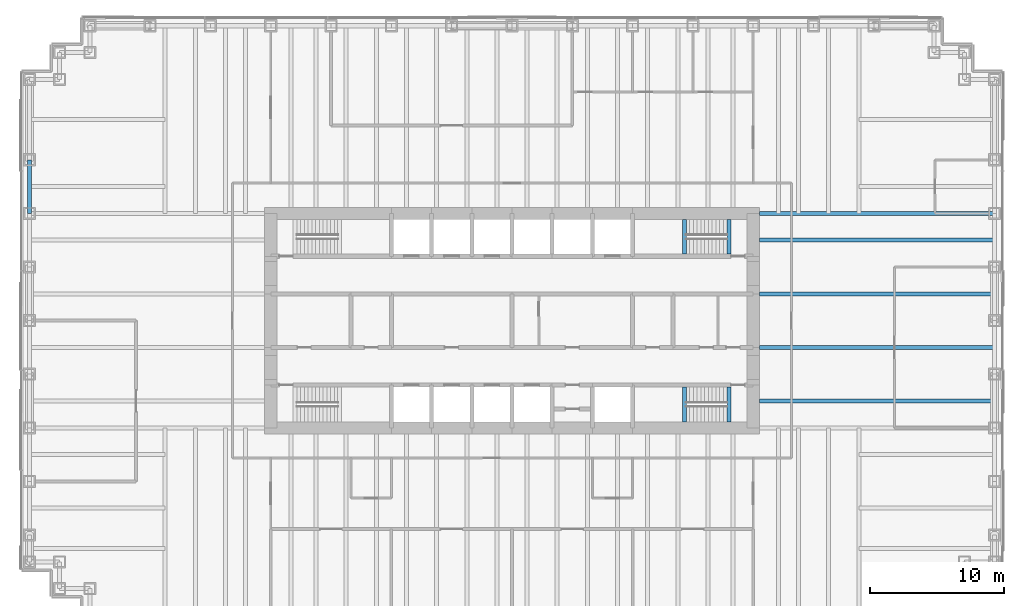
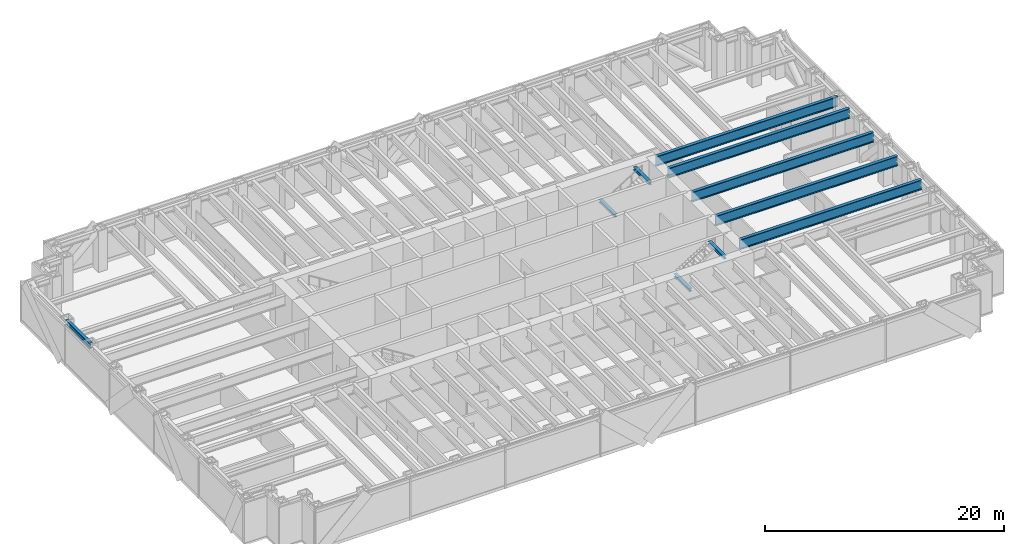
# One storey, part 5 of 15: 10 beams.
"""IFC4 building model written with IfcOpenShell, lengths in metres."""

from ifc_helpers import new_model, si_unit, direction, frame, origin, origin_2d, place, context, subcontext, project, spatial, i_section, extrude, material, material_profile, profile_set, type_object, element, save


model = new_model("IFC4")

# Units and contexts
model_context = context("Model", 3, precision=1e-05, world=origin(), true_north=direction((0.0, 1.0)))
body_context = subcontext(model_context, "Body", "Model", "MODEL_VIEW")
ifc_project = project(units=[si_unit("LENGTHUNIT", "METRE"), si_unit("AREAUNIT", "SQUARE_METRE"), si_unit("VOLUMEUNIT", "CUBIC_METRE"), si_unit("PLANEANGLEUNIT", "RADIAN"), si_unit("MASSUNIT", "GRAM", prefix="KILO")], contexts=[model_context])

# Site, building, storey
site_placement = place(None, origin())
site = spatial("IfcSite", under=ifc_project, at=site_placement, CompositionType="ELEMENT")
building_placement = place(site_placement, origin())
building = spatial("IfcBuilding", under=site, at=building_placement, Name="Rheinbord Bourse Tower", CompositionType="ELEMENT")
storey_placement = place(building_placement, frame((0.0, 0.0, 155.10009765625)))
storey = spatial("IfcBuildingStorey", under=building, at=storey_placement, Name="L34", CompositionType="ELEMENT", Elevation=155.10009765625)

# Beams
ifc_material_1 = material(Name="Steel S460", Category="steel")
ifc_material_profile_1 = material_profile(ifc_material_1, i_section(OverallWidth=0.302001953125, OverallDepth=1.008056640625, WebThickness=0.02099609375, FlangeThickness=0.0400390625, at=origin_2d()), Name="HEM 1000")
ifc_profile_set_1 = profile_set([ifc_material_profile_1], Name="Steel S460")
beam_type_1 = type_object("IfcBeamType", Name="END BEAM HEM 1000", PredefinedType="BEAM", material=ifc_profile_set_1)
for number, where, z_axis, x_axis, name in (
    (1, (54.449951171875, 18.0, 3.535888671875), (1.0, 0.0, 0.0), (0.0, 1.0, 0.0), "End beam east 18 L35"),
    (2, (54.449951171875, 22.0, 3.535888671875), (1.0, 0.0, 0.0), (0.0, 1.0, 0.0), "End beam east 22 L35"),
    (3, (54.449951171875, 26.0, 3.535888671875), (1.0, 0.0, 0.0), (0.0, 1.0, 0.0), "End beam east 26 L35"),
    (4, (54.449951171875, 30.0, 3.535888671875), (1.0, 0.0, 0.0), (0.0, 1.0, 0.0), "End beam east 30 L35"),
):
    element("IfcBeam", number, at=place(storey_placement, frame(where, z_axis=z_axis, x_axis=x_axis)), inside=storey, type_object=beam_type_1, Name=name, PredefinedType="BEAM", context=body_context, shape_type="SweptSolid", body=[
        extrude(i_section(OverallWidth=0.302001953125, OverallDepth=1.008056640625, WebThickness=0.02099609375, FlangeThickness=0.0400390625, at=origin_2d()), origin(), (0.0, 0.0, 1.0), 17.550048828125),
    ])
ifc_material_2 = material(Name="Steel S460", Category="steel")
ifc_material_profile_2 = material_profile(ifc_material_2, i_section(OverallWidth=0.302001953125, OverallDepth=1.008056640625, WebThickness=0.02099609375, FlangeThickness=0.0400390625, at=origin_2d()), Name="HEM 1000")
ifc_profile_set_2 = profile_set([ifc_material_profile_2], Name="Steel S460")
beam_type_2 = type_object("IfcBeamType", Name="GIRDER HEM 1000", PredefinedType="BEAM", material=ifc_profile_set_2)
beam_1_placement = place(storey_placement, frame((54.449951171875, 32.0, 3.535888671875), z_axis=(1.0, 0.0, 0.0), x_axis=(0.0, 1.0, 0.0)))
element("IfcBeam", 5, at=beam_1_placement, inside=storey, type_object=beam_type_2, Name="Girder east 32 L35", PredefinedType="BEAM", context=body_context, shape_type="SweptSolid", body=[
    extrude(i_section(OverallWidth=0.302001953125, OverallDepth=1.008056640625, WebThickness=0.02099609375, FlangeThickness=0.0400390625, at=origin_2d()), origin(), (0.0, 0.0, 1.0), 17.550048828125),
])
ifc_material_3 = material(Name="Steel S460", Category="steel")
ifc_material_profile_3 = material_profile(ifc_material_3, i_section(OverallWidth=0.300048828125, OverallDepth=0.300048828125, WebThickness=0.010986328125, FlangeThickness=0.01904296875, at=origin_2d()), Name="HEB 300")
ifc_profile_set_3 = profile_set([ifc_material_profile_3], Name="Steel S460")
beam_type_3 = type_object("IfcBeamType", Name="LANDING TRIMMER HEB 300", PredefinedType="BEAM", material=ifc_profile_set_3)
for number, where, z_axis, x_axis, name in (
    (6, (48.8701171875, 16.449951171875, 1.75), (0.0, 1.0, 0.0), (-1.0, 0.0, 0.0), "Landing trimmer ST3 L34"),
    (7, (52.199951171875, 16.449951171875, 3.889892578125), (0.0, 1.0, 0.0), (-1.0, 0.0, 0.0), "Well trimmer ST3 under L35"),
    (8, (48.8701171875, 28.949951171875, 1.75), (0.0, 1.0, 0.0), (-1.0, 0.0, 0.0), "Landing trimmer ST4 L34"),
    (9, (52.199951171875, 28.949951171875, 3.889892578125), (0.0, 1.0, 0.0), (-1.0, 0.0, 0.0), "Well trimmer ST4 under L35"),
):
    element("IfcBeam", number, at=place(storey_placement, frame(where, z_axis=z_axis, x_axis=x_axis)), inside=storey, type_object=beam_type_3, Name=name, PredefinedType="BEAM", context=body_context, shape_type="SweptSolid", body=[
        extrude(i_section(OverallWidth=0.300048828125, OverallDepth=0.300048828125, WebThickness=0.010986328125, FlangeThickness=0.01904296875, at=origin_2d()), origin(), (0.0, 0.0, 1.0), 2.60009765625),
    ])
ifc_material_4 = material(Name="Steel S460", Category="steel")
ifc_material_profile_4 = material_profile(ifc_material_4, i_section(OverallWidth=0.305908203125, OverallDepth=0.572021484375, WebThickness=0.02099609375, FlangeThickness=0.0400390625, at=origin_2d()), Name="HEM 550")
ifc_profile_set_4 = profile_set([ifc_material_profile_4], Name="Steel S460")
beam_type_4 = type_object("IfcBeamType", Name="SPANDREL HEM 550", PredefinedType="SPANDREL", material=ifc_profile_set_4)
beam_2_placement = place(storey_placement, frame((0.0, 36.0, 3.75390625), z_axis=(0.0, -1.0, 0.0), x_axis=(1.0, 0.0, 0.0)))
element("IfcBeam", 10, at=beam_2_placement, inside=storey, type_object=beam_type_4, Name="Spandrel W-36-W-32 under L35", PredefinedType="SPANDREL", context=body_context, shape_type="SweptSolid", body=[
    extrude(i_section(OverallWidth=0.305908203125, OverallDepth=0.572021484375, WebThickness=0.02099609375, FlangeThickness=0.0400390625, at=origin_2d()), origin(), (0.0, 0.0, 1.0), 4.0),
])

save(model, "model.ifc")
